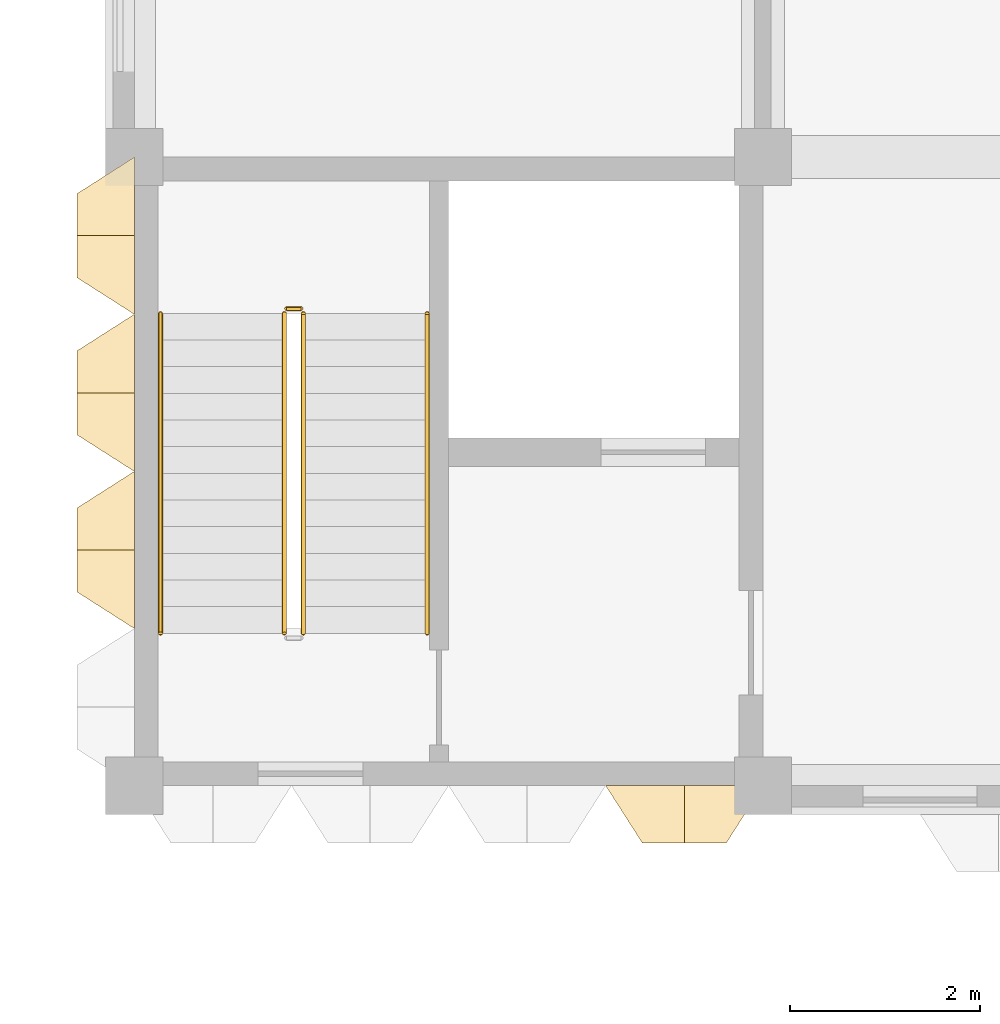
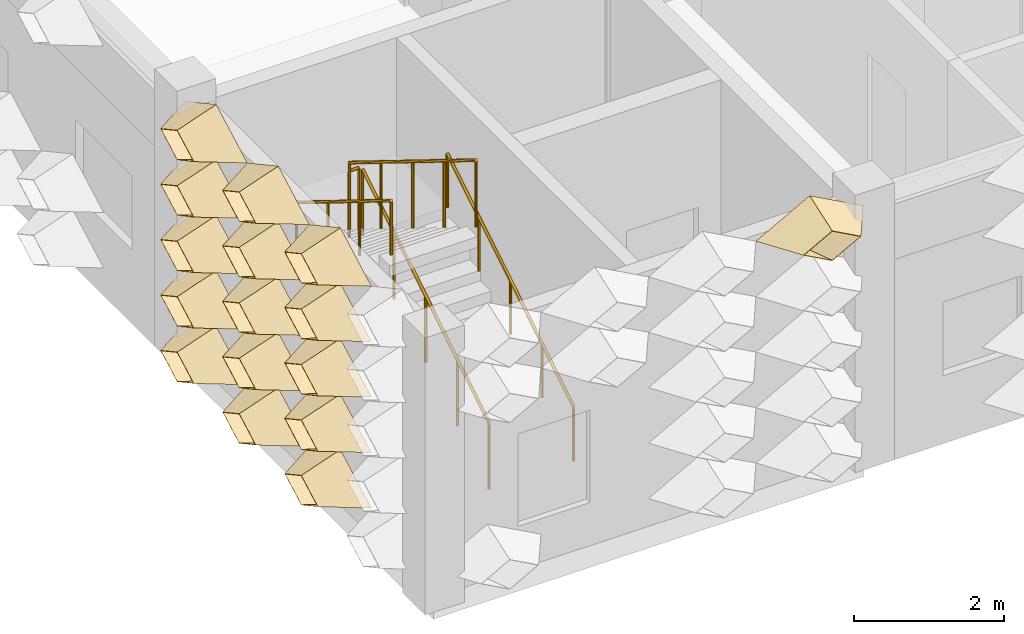
# One storey, part 53 of 87: 16 coverings, 5 railings.
"""IFC4 building model written with IfcOpenShell, lengths in metres."""

from ifc_helpers import new_model, entity, si_unit, direction, frame, origin, origin_2d, place, context, subcontext, project, spatial, circle, extrude, material, layer, layer_set, type_object, element, save


model = new_model("IFC4")

# Units and contexts
model_context = context("Model", 3, precision=1e-05, world=origin(), true_north=direction((0.0, 1.0)))
body_context = subcontext(model_context, "Body", "Model", "MODEL_VIEW")
ifc_project = project(units=[si_unit("LENGTHUNIT", "METRE"), si_unit("AREAUNIT", "SQUARE_METRE"), si_unit("VOLUMEUNIT", "CUBIC_METRE"), si_unit("PLANEANGLEUNIT", "RADIAN"), si_unit("MASSUNIT", "GRAM", prefix="KILO")], contexts=[model_context])

# Site, building, storey
site_placement = place(None, origin())
site = spatial("IfcSite", under=ifc_project, at=site_placement, CompositionType="ELEMENT")
building_placement = place(site_placement, origin())
building = spatial("IfcBuilding", under=site, at=building_placement, Name="Lantern Court Research Institute", CompositionType="ELEMENT")
storey_placement = place(building_placement, frame((0.0, 0.0, 5.39990234375)))
storey = spatial("IfcBuildingStorey", under=building, at=storey_placement, Name="L01", CompositionType="ELEMENT", Elevation=5.39990234375)

# Coverings
ifc_material_1 = material(Name="Anodised aluminium", Category="aluminium")
ifc_layer = layer(ifc_material_1, 0.01611328125)
ifc_layer_set = layer_set([ifc_layer], Name="Anodised aluminium")
covering_type = type_object("IfcCoveringType", Name="Fin cassette 1650 x 900 x 600 aluminium", PredefinedType="CLADDING", material=ifc_layer_set)
covering_1_placement = place(storey_placement, frame((5.77490234375, 49.5, 4.050048828125), z_axis=(0.0, -1.0, 0.0), x_axis=(1.0, 0.0, 0.0)))
cartesian_point_1 = entity("IfcCartesianPoint", [0.824951171875, 0.0])
cartesian_point_2 = entity("IfcCartesianPoint", [0.79150390625, 0.0])
cartesian_point_3 = entity("IfcCartesianPoint", [0.44189453125, 0.0])
cartesian_point_4 = entity("IfcCartesianPoint", [0.43359375, 0.0])
element("IfcCovering", 1, at=covering_1_placement, inside=storey, type_object=covering_type, Name="Fin cassette V3S-L01 5.4", PredefinedType="CLADDING", context=body_context, shape_type="SweptSolid", body=[
    entity("IfcExtrudedAreaSolidTapered", entity("IfcArbitraryProfileDefWithVoids", "AREA", None, entity("IfcPolyline", [cartesian_point_1, entity("IfcCartesianPoint", [0.0, 0.449951171875]), entity("IfcCartesianPoint", [-0.824951171875, 0.0]), entity("IfcCartesianPoint", [0.0, -0.449951171875]), cartesian_point_1]), [entity("IfcPolyline", [cartesian_point_2, entity("IfcCartesianPoint", [0.0, 0.431884765625]), entity("IfcCartesianPoint", [-0.79150390625, 0.0]), entity("IfcCartesianPoint", [0.0, -0.431884765625]), cartesian_point_2])]), entity("IfcAxis2Placement3D", entity("IfcCartesianPoint", [0.0, 0.0, 0.0])), entity("IfcDirection", [0.0, 0.0, 1.0]), 0.60009765625, entity("IfcArbitraryProfileDefWithVoids", "AREA", None, entity("IfcPolyline", [cartesian_point_3, entity("IfcCartesianPoint", [0.0, 0.240966796875]), entity("IfcCartesianPoint", [-0.44189453125, 0.0]), entity("IfcCartesianPoint", [0.0, -0.240966796875]), cartesian_point_3]), [entity("IfcPolyline", [cartesian_point_4, entity("IfcCartesianPoint", [0.0, 0.236572265625]), entity("IfcCartesianPoint", [-0.43359375, 0.0]), entity("IfcCartesianPoint", [0.0, -0.236572265625]), cartesian_point_4])])),
])
covering_2_placement = place(storey_placement, frame((0.0, 51.97509765625, 0.4501953125), z_axis=(-1.0, 0.0, 0.0), x_axis=(0.0, -1.0, 0.0)))
cartesian_point_5 = entity("IfcCartesianPoint", [0.824951171875, 0.0])
cartesian_point_6 = entity("IfcCartesianPoint", [0.79150390625, 0.0])
cartesian_point_7 = entity("IfcCartesianPoint", [0.44189453125, 0.0])
cartesian_point_8 = entity("IfcCartesianPoint", [0.43359375, 0.0])
element("IfcCovering", 2, at=covering_2_placement, inside=storey, type_object=covering_type, Name="Fin cassette V3W-L01 1.32", PredefinedType="CLADDING", context=body_context, shape_type="SweptSolid", body=[
    entity("IfcExtrudedAreaSolidTapered", entity("IfcArbitraryProfileDefWithVoids", "AREA", None, entity("IfcPolyline", [cartesian_point_5, entity("IfcCartesianPoint", [0.0, 0.449951171875]), entity("IfcCartesianPoint", [-0.824951171875, 0.0]), entity("IfcCartesianPoint", [0.0, -0.449951171875]), cartesian_point_5]), [entity("IfcPolyline", [cartesian_point_6, entity("IfcCartesianPoint", [0.0, 0.431884765625]), entity("IfcCartesianPoint", [-0.79150390625, 0.0]), entity("IfcCartesianPoint", [0.0, -0.431884765625]), cartesian_point_6])]), entity("IfcAxis2Placement3D", entity("IfcCartesianPoint", [0.0, 0.0, 0.0])), entity("IfcDirection", [0.0, 0.0, 1.0]), 0.60009765625, entity("IfcArbitraryProfileDefWithVoids", "AREA", None, entity("IfcPolyline", [cartesian_point_7, entity("IfcCartesianPoint", [0.0, 0.240966796875]), entity("IfcCartesianPoint", [-0.44189453125, 0.0]), entity("IfcCartesianPoint", [0.0, -0.240966796875]), cartesian_point_7]), [entity("IfcPolyline", [cartesian_point_8, entity("IfcCartesianPoint", [0.0, 0.236572265625]), entity("IfcCartesianPoint", [-0.43359375, 0.0]), entity("IfcCartesianPoint", [0.0, -0.236572265625]), cartesian_point_8])])),
])
covering_3_placement = place(storey_placement, frame((0.0, 53.625, 0.4501953125), z_axis=(-1.0, 0.0, 0.0), x_axis=(0.0, -1.0, 0.0)))
cartesian_point_9 = entity("IfcCartesianPoint", [0.824951171875, 0.0])
cartesian_point_10 = entity("IfcCartesianPoint", [0.79150390625, 0.0])
cartesian_point_11 = entity("IfcCartesianPoint", [0.44189453125, 0.0])
cartesian_point_12 = entity("IfcCartesianPoint", [0.43359375, 0.0])
element("IfcCovering", 3, at=covering_3_placement, inside=storey, type_object=covering_type, Name="Fin cassette V3W-L01 1.33", PredefinedType="CLADDING", context=body_context, shape_type="SweptSolid", body=[
    entity("IfcExtrudedAreaSolidTapered", entity("IfcArbitraryProfileDefWithVoids", "AREA", None, entity("IfcPolyline", [cartesian_point_9, entity("IfcCartesianPoint", [0.0, 0.449951171875]), entity("IfcCartesianPoint", [-0.824951171875, 0.0]), entity("IfcCartesianPoint", [0.0, -0.449951171875]), cartesian_point_9]), [entity("IfcPolyline", [cartesian_point_10, entity("IfcCartesianPoint", [0.0, 0.431884765625]), entity("IfcCartesianPoint", [-0.79150390625, 0.0]), entity("IfcCartesianPoint", [0.0, -0.431884765625]), cartesian_point_10])]), entity("IfcAxis2Placement3D", entity("IfcCartesianPoint", [0.0, 0.0, 0.0])), entity("IfcDirection", [0.0, 0.0, 1.0]), 0.60009765625, entity("IfcArbitraryProfileDefWithVoids", "AREA", None, entity("IfcPolyline", [cartesian_point_11, entity("IfcCartesianPoint", [0.0, 0.240966796875]), entity("IfcCartesianPoint", [-0.44189453125, 0.0]), entity("IfcCartesianPoint", [0.0, -0.240966796875]), cartesian_point_11]), [entity("IfcPolyline", [cartesian_point_12, entity("IfcCartesianPoint", [0.0, 0.236572265625]), entity("IfcCartesianPoint", [-0.43359375, 0.0]), entity("IfcCartesianPoint", [0.0, -0.236572265625]), cartesian_point_12])])),
])
covering_4_placement = place(storey_placement, frame((0.0, 55.27490234375, 0.4501953125), z_axis=(-1.0, 0.0, 0.0), x_axis=(0.0, -1.0, 0.0)))
cartesian_point_13 = entity("IfcCartesianPoint", [0.824951171875, 0.0])
cartesian_point_14 = entity("IfcCartesianPoint", [0.79150390625, 0.0])
cartesian_point_15 = entity("IfcCartesianPoint", [0.44189453125, 0.0])
cartesian_point_16 = entity("IfcCartesianPoint", [0.43359375, 0.0])
element("IfcCovering", 4, at=covering_4_placement, inside=storey, type_object=covering_type, Name="Fin cassette V3W-L01 1.34", PredefinedType="CLADDING", context=body_context, shape_type="SweptSolid", body=[
    entity("IfcExtrudedAreaSolidTapered", entity("IfcArbitraryProfileDefWithVoids", "AREA", None, entity("IfcPolyline", [cartesian_point_13, entity("IfcCartesianPoint", [0.0, 0.449951171875]), entity("IfcCartesianPoint", [-0.824951171875, 0.0]), entity("IfcCartesianPoint", [0.0, -0.449951171875]), cartesian_point_13]), [entity("IfcPolyline", [cartesian_point_14, entity("IfcCartesianPoint", [0.0, 0.431884765625]), entity("IfcCartesianPoint", [-0.79150390625, 0.0]), entity("IfcCartesianPoint", [0.0, -0.431884765625]), cartesian_point_14])]), entity("IfcAxis2Placement3D", entity("IfcCartesianPoint", [0.0, 0.0, 0.0])), entity("IfcDirection", [0.0, 0.0, 1.0]), 0.60009765625, entity("IfcArbitraryProfileDefWithVoids", "AREA", None, entity("IfcPolyline", [cartesian_point_15, entity("IfcCartesianPoint", [0.0, 0.240966796875]), entity("IfcCartesianPoint", [-0.44189453125, 0.0]), entity("IfcCartesianPoint", [0.0, -0.240966796875]), cartesian_point_15]), [entity("IfcPolyline", [cartesian_point_16, entity("IfcCartesianPoint", [0.0, 0.236572265625]), entity("IfcCartesianPoint", [-0.43359375, 0.0]), entity("IfcCartesianPoint", [0.0, -0.236572265625]), cartesian_point_16])])),
])
covering_5_placement = place(storey_placement, frame((0.0, 51.97509765625, 1.35009765625), z_axis=(-1.0, 0.0, 0.0), x_axis=(0.0, -1.0, 0.0)))
cartesian_point_17 = entity("IfcCartesianPoint", [0.824951171875, 0.0])
cartesian_point_18 = entity("IfcCartesianPoint", [0.79150390625, 0.0])
cartesian_point_19 = entity("IfcCartesianPoint", [0.44189453125, 0.0])
cartesian_point_20 = entity("IfcCartesianPoint", [0.43359375, 0.0])
element("IfcCovering", 5, at=covering_5_placement, inside=storey, type_object=covering_type, Name="Fin cassette V3W-L01 2.32", PredefinedType="CLADDING", context=body_context, shape_type="SweptSolid", body=[
    entity("IfcExtrudedAreaSolidTapered", entity("IfcArbitraryProfileDefWithVoids", "AREA", None, entity("IfcPolyline", [cartesian_point_17, entity("IfcCartesianPoint", [0.0, 0.449951171875]), entity("IfcCartesianPoint", [-0.824951171875, 0.0]), entity("IfcCartesianPoint", [0.0, -0.449951171875]), cartesian_point_17]), [entity("IfcPolyline", [cartesian_point_18, entity("IfcCartesianPoint", [0.0, 0.431884765625]), entity("IfcCartesianPoint", [-0.79150390625, 0.0]), entity("IfcCartesianPoint", [0.0, -0.431884765625]), cartesian_point_18])]), entity("IfcAxis2Placement3D", entity("IfcCartesianPoint", [0.0, 0.0, 0.0])), entity("IfcDirection", [0.0, 0.0, 1.0]), 0.60009765625, entity("IfcArbitraryProfileDefWithVoids", "AREA", None, entity("IfcPolyline", [cartesian_point_19, entity("IfcCartesianPoint", [0.0, 0.240966796875]), entity("IfcCartesianPoint", [-0.44189453125, 0.0]), entity("IfcCartesianPoint", [0.0, -0.240966796875]), cartesian_point_19]), [entity("IfcPolyline", [cartesian_point_20, entity("IfcCartesianPoint", [0.0, 0.236572265625]), entity("IfcCartesianPoint", [-0.43359375, 0.0]), entity("IfcCartesianPoint", [0.0, -0.236572265625]), cartesian_point_20])])),
])
covering_6_placement = place(storey_placement, frame((0.0, 53.625, 1.35009765625), z_axis=(-1.0, 0.0, 0.0), x_axis=(0.0, -1.0, 0.0)))
cartesian_point_21 = entity("IfcCartesianPoint", [0.824951171875, 0.0])
cartesian_point_22 = entity("IfcCartesianPoint", [0.79150390625, 0.0])
cartesian_point_23 = entity("IfcCartesianPoint", [0.44189453125, 0.0])
cartesian_point_24 = entity("IfcCartesianPoint", [0.43359375, 0.0])
element("IfcCovering", 6, at=covering_6_placement, inside=storey, type_object=covering_type, Name="Fin cassette V3W-L01 2.33", PredefinedType="CLADDING", context=body_context, shape_type="SweptSolid", body=[
    entity("IfcExtrudedAreaSolidTapered", entity("IfcArbitraryProfileDefWithVoids", "AREA", None, entity("IfcPolyline", [cartesian_point_21, entity("IfcCartesianPoint", [0.0, 0.449951171875]), entity("IfcCartesianPoint", [-0.824951171875, 0.0]), entity("IfcCartesianPoint", [0.0, -0.449951171875]), cartesian_point_21]), [entity("IfcPolyline", [cartesian_point_22, entity("IfcCartesianPoint", [0.0, 0.431884765625]), entity("IfcCartesianPoint", [-0.79150390625, 0.0]), entity("IfcCartesianPoint", [0.0, -0.431884765625]), cartesian_point_22])]), entity("IfcAxis2Placement3D", entity("IfcCartesianPoint", [0.0, 0.0, 0.0])), entity("IfcDirection", [0.0, 0.0, 1.0]), 0.60009765625, entity("IfcArbitraryProfileDefWithVoids", "AREA", None, entity("IfcPolyline", [cartesian_point_23, entity("IfcCartesianPoint", [0.0, 0.240966796875]), entity("IfcCartesianPoint", [-0.44189453125, 0.0]), entity("IfcCartesianPoint", [0.0, -0.240966796875]), cartesian_point_23]), [entity("IfcPolyline", [cartesian_point_24, entity("IfcCartesianPoint", [0.0, 0.236572265625]), entity("IfcCartesianPoint", [-0.43359375, 0.0]), entity("IfcCartesianPoint", [0.0, -0.236572265625]), cartesian_point_24])])),
])
covering_7_placement = place(storey_placement, frame((0.0, 55.27490234375, 1.35009765625), z_axis=(-1.0, 0.0, 0.0), x_axis=(0.0, -1.0, 0.0)))
cartesian_point_25 = entity("IfcCartesianPoint", [0.824951171875, 0.0])
cartesian_point_26 = entity("IfcCartesianPoint", [0.79150390625, 0.0])
cartesian_point_27 = entity("IfcCartesianPoint", [0.44189453125, 0.0])
cartesian_point_28 = entity("IfcCartesianPoint", [0.43359375, 0.0])
element("IfcCovering", 7, at=covering_7_placement, inside=storey, type_object=covering_type, Name="Fin cassette V3W-L01 2.34", PredefinedType="CLADDING", context=body_context, shape_type="SweptSolid", body=[
    entity("IfcExtrudedAreaSolidTapered", entity("IfcArbitraryProfileDefWithVoids", "AREA", None, entity("IfcPolyline", [cartesian_point_25, entity("IfcCartesianPoint", [0.0, 0.449951171875]), entity("IfcCartesianPoint", [-0.824951171875, 0.0]), entity("IfcCartesianPoint", [0.0, -0.449951171875]), cartesian_point_25]), [entity("IfcPolyline", [cartesian_point_26, entity("IfcCartesianPoint", [0.0, 0.431884765625]), entity("IfcCartesianPoint", [-0.79150390625, 0.0]), entity("IfcCartesianPoint", [0.0, -0.431884765625]), cartesian_point_26])]), entity("IfcAxis2Placement3D", entity("IfcCartesianPoint", [0.0, 0.0, 0.0])), entity("IfcDirection", [0.0, 0.0, 1.0]), 0.60009765625, entity("IfcArbitraryProfileDefWithVoids", "AREA", None, entity("IfcPolyline", [cartesian_point_27, entity("IfcCartesianPoint", [0.0, 0.240966796875]), entity("IfcCartesianPoint", [-0.44189453125, 0.0]), entity("IfcCartesianPoint", [0.0, -0.240966796875]), cartesian_point_27]), [entity("IfcPolyline", [cartesian_point_28, entity("IfcCartesianPoint", [0.0, 0.236572265625]), entity("IfcCartesianPoint", [-0.43359375, 0.0]), entity("IfcCartesianPoint", [0.0, -0.236572265625]), cartesian_point_28])])),
])
covering_8_placement = place(storey_placement, frame((0.0, 51.97509765625, 2.25), z_axis=(-1.0, 0.0, 0.0), x_axis=(0.0, -1.0, 0.0)))
cartesian_point_29 = entity("IfcCartesianPoint", [0.824951171875, 0.0])
cartesian_point_30 = entity("IfcCartesianPoint", [0.79150390625, 0.0])
cartesian_point_31 = entity("IfcCartesianPoint", [0.44189453125, 0.0])
cartesian_point_32 = entity("IfcCartesianPoint", [0.43359375, 0.0])
element("IfcCovering", 8, at=covering_8_placement, inside=storey, type_object=covering_type, Name="Fin cassette V3W-L01 3.32", PredefinedType="CLADDING", context=body_context, shape_type="SweptSolid", body=[
    entity("IfcExtrudedAreaSolidTapered", entity("IfcArbitraryProfileDefWithVoids", "AREA", None, entity("IfcPolyline", [cartesian_point_29, entity("IfcCartesianPoint", [0.0, 0.449951171875]), entity("IfcCartesianPoint", [-0.824951171875, 0.0]), entity("IfcCartesianPoint", [0.0, -0.449951171875]), cartesian_point_29]), [entity("IfcPolyline", [cartesian_point_30, entity("IfcCartesianPoint", [0.0, 0.431884765625]), entity("IfcCartesianPoint", [-0.79150390625, 0.0]), entity("IfcCartesianPoint", [0.0, -0.431884765625]), cartesian_point_30])]), entity("IfcAxis2Placement3D", entity("IfcCartesianPoint", [0.0, 0.0, 0.0])), entity("IfcDirection", [0.0, 0.0, 1.0]), 0.60009765625, entity("IfcArbitraryProfileDefWithVoids", "AREA", None, entity("IfcPolyline", [cartesian_point_31, entity("IfcCartesianPoint", [0.0, 0.240966796875]), entity("IfcCartesianPoint", [-0.44189453125, 0.0]), entity("IfcCartesianPoint", [0.0, -0.240966796875]), cartesian_point_31]), [entity("IfcPolyline", [cartesian_point_32, entity("IfcCartesianPoint", [0.0, 0.236572265625]), entity("IfcCartesianPoint", [-0.43359375, 0.0]), entity("IfcCartesianPoint", [0.0, -0.236572265625]), cartesian_point_32])])),
])
covering_9_placement = place(storey_placement, frame((0.0, 53.625, 2.25), z_axis=(-1.0, 0.0, 0.0), x_axis=(0.0, -1.0, 0.0)))
cartesian_point_33 = entity("IfcCartesianPoint", [0.824951171875, 0.0])
cartesian_point_34 = entity("IfcCartesianPoint", [0.79150390625, 0.0])
cartesian_point_35 = entity("IfcCartesianPoint", [0.44189453125, 0.0])
cartesian_point_36 = entity("IfcCartesianPoint", [0.43359375, 0.0])
element("IfcCovering", 9, at=covering_9_placement, inside=storey, type_object=covering_type, Name="Fin cassette V3W-L01 3.33", PredefinedType="CLADDING", context=body_context, shape_type="SweptSolid", body=[
    entity("IfcExtrudedAreaSolidTapered", entity("IfcArbitraryProfileDefWithVoids", "AREA", None, entity("IfcPolyline", [cartesian_point_33, entity("IfcCartesianPoint", [0.0, 0.449951171875]), entity("IfcCartesianPoint", [-0.824951171875, 0.0]), entity("IfcCartesianPoint", [0.0, -0.449951171875]), cartesian_point_33]), [entity("IfcPolyline", [cartesian_point_34, entity("IfcCartesianPoint", [0.0, 0.431884765625]), entity("IfcCartesianPoint", [-0.79150390625, 0.0]), entity("IfcCartesianPoint", [0.0, -0.431884765625]), cartesian_point_34])]), entity("IfcAxis2Placement3D", entity("IfcCartesianPoint", [0.0, 0.0, 0.0])), entity("IfcDirection", [0.0, 0.0, 1.0]), 0.60009765625, entity("IfcArbitraryProfileDefWithVoids", "AREA", None, entity("IfcPolyline", [cartesian_point_35, entity("IfcCartesianPoint", [0.0, 0.240966796875]), entity("IfcCartesianPoint", [-0.44189453125, 0.0]), entity("IfcCartesianPoint", [0.0, -0.240966796875]), cartesian_point_35]), [entity("IfcPolyline", [cartesian_point_36, entity("IfcCartesianPoint", [0.0, 0.236572265625]), entity("IfcCartesianPoint", [-0.43359375, 0.0]), entity("IfcCartesianPoint", [0.0, -0.236572265625]), cartesian_point_36])])),
])
covering_10_placement = place(storey_placement, frame((0.0, 55.27490234375, 2.25), z_axis=(-1.0, 0.0, 0.0), x_axis=(0.0, -1.0, 0.0)))
cartesian_point_37 = entity("IfcCartesianPoint", [0.824951171875, 0.0])
cartesian_point_38 = entity("IfcCartesianPoint", [0.79150390625, 0.0])
cartesian_point_39 = entity("IfcCartesianPoint", [0.44189453125, 0.0])
cartesian_point_40 = entity("IfcCartesianPoint", [0.43359375, 0.0])
element("IfcCovering", 10, at=covering_10_placement, inside=storey, type_object=covering_type, Name="Fin cassette V3W-L01 3.34", PredefinedType="CLADDING", context=body_context, shape_type="SweptSolid", body=[
    entity("IfcExtrudedAreaSolidTapered", entity("IfcArbitraryProfileDefWithVoids", "AREA", None, entity("IfcPolyline", [cartesian_point_37, entity("IfcCartesianPoint", [0.0, 0.449951171875]), entity("IfcCartesianPoint", [-0.824951171875, 0.0]), entity("IfcCartesianPoint", [0.0, -0.449951171875]), cartesian_point_37]), [entity("IfcPolyline", [cartesian_point_38, entity("IfcCartesianPoint", [0.0, 0.431884765625]), entity("IfcCartesianPoint", [-0.79150390625, 0.0]), entity("IfcCartesianPoint", [0.0, -0.431884765625]), cartesian_point_38])]), entity("IfcAxis2Placement3D", entity("IfcCartesianPoint", [0.0, 0.0, 0.0])), entity("IfcDirection", [0.0, 0.0, 1.0]), 0.60009765625, entity("IfcArbitraryProfileDefWithVoids", "AREA", None, entity("IfcPolyline", [cartesian_point_39, entity("IfcCartesianPoint", [0.0, 0.240966796875]), entity("IfcCartesianPoint", [-0.44189453125, 0.0]), entity("IfcCartesianPoint", [0.0, -0.240966796875]), cartesian_point_39]), [entity("IfcPolyline", [cartesian_point_40, entity("IfcCartesianPoint", [0.0, 0.236572265625]), entity("IfcCartesianPoint", [-0.43359375, 0.0]), entity("IfcCartesianPoint", [0.0, -0.236572265625]), cartesian_point_40])])),
])
covering_11_placement = place(storey_placement, frame((0.0, 51.97509765625, 3.150146484375), z_axis=(-1.0, 0.0, 0.0), x_axis=(0.0, -1.0, 0.0)))
cartesian_point_41 = entity("IfcCartesianPoint", [0.824951171875, 0.0])
cartesian_point_42 = entity("IfcCartesianPoint", [0.79150390625, 0.0])
cartesian_point_43 = entity("IfcCartesianPoint", [0.44189453125, 0.0])
cartesian_point_44 = entity("IfcCartesianPoint", [0.43359375, 0.0])
element("IfcCovering", 11, at=covering_11_placement, inside=storey, type_object=covering_type, Name="Fin cassette V3W-L01 4.32", PredefinedType="CLADDING", context=body_context, shape_type="SweptSolid", body=[
    entity("IfcExtrudedAreaSolidTapered", entity("IfcArbitraryProfileDefWithVoids", "AREA", None, entity("IfcPolyline", [cartesian_point_41, entity("IfcCartesianPoint", [0.0, 0.449951171875]), entity("IfcCartesianPoint", [-0.824951171875, 0.0]), entity("IfcCartesianPoint", [0.0, -0.449951171875]), cartesian_point_41]), [entity("IfcPolyline", [cartesian_point_42, entity("IfcCartesianPoint", [0.0, 0.431884765625]), entity("IfcCartesianPoint", [-0.79150390625, 0.0]), entity("IfcCartesianPoint", [0.0, -0.431884765625]), cartesian_point_42])]), entity("IfcAxis2Placement3D", entity("IfcCartesianPoint", [0.0, 0.0, 0.0])), entity("IfcDirection", [0.0, 0.0, 1.0]), 0.60009765625, entity("IfcArbitraryProfileDefWithVoids", "AREA", None, entity("IfcPolyline", [cartesian_point_43, entity("IfcCartesianPoint", [0.0, 0.240966796875]), entity("IfcCartesianPoint", [-0.44189453125, 0.0]), entity("IfcCartesianPoint", [0.0, -0.240966796875]), cartesian_point_43]), [entity("IfcPolyline", [cartesian_point_44, entity("IfcCartesianPoint", [0.0, 0.236572265625]), entity("IfcCartesianPoint", [-0.43359375, 0.0]), entity("IfcCartesianPoint", [0.0, -0.236572265625]), cartesian_point_44])])),
])
covering_12_placement = place(storey_placement, frame((0.0, 53.625, 3.150146484375), z_axis=(-1.0, 0.0, 0.0), x_axis=(0.0, -1.0, 0.0)))
cartesian_point_45 = entity("IfcCartesianPoint", [0.824951171875, 0.0])
cartesian_point_46 = entity("IfcCartesianPoint", [0.79150390625, 0.0])
cartesian_point_47 = entity("IfcCartesianPoint", [0.44189453125, 0.0])
cartesian_point_48 = entity("IfcCartesianPoint", [0.43359375, 0.0])
element("IfcCovering", 12, at=covering_12_placement, inside=storey, type_object=covering_type, Name="Fin cassette V3W-L01 4.33", PredefinedType="CLADDING", context=body_context, shape_type="SweptSolid", body=[
    entity("IfcExtrudedAreaSolidTapered", entity("IfcArbitraryProfileDefWithVoids", "AREA", None, entity("IfcPolyline", [cartesian_point_45, entity("IfcCartesianPoint", [0.0, 0.449951171875]), entity("IfcCartesianPoint", [-0.824951171875, 0.0]), entity("IfcCartesianPoint", [0.0, -0.449951171875]), cartesian_point_45]), [entity("IfcPolyline", [cartesian_point_46, entity("IfcCartesianPoint", [0.0, 0.431884765625]), entity("IfcCartesianPoint", [-0.79150390625, 0.0]), entity("IfcCartesianPoint", [0.0, -0.431884765625]), cartesian_point_46])]), entity("IfcAxis2Placement3D", entity("IfcCartesianPoint", [0.0, 0.0, 0.0])), entity("IfcDirection", [0.0, 0.0, 1.0]), 0.60009765625, entity("IfcArbitraryProfileDefWithVoids", "AREA", None, entity("IfcPolyline", [cartesian_point_47, entity("IfcCartesianPoint", [0.0, 0.240966796875]), entity("IfcCartesianPoint", [-0.44189453125, 0.0]), entity("IfcCartesianPoint", [0.0, -0.240966796875]), cartesian_point_47]), [entity("IfcPolyline", [cartesian_point_48, entity("IfcCartesianPoint", [0.0, 0.236572265625]), entity("IfcCartesianPoint", [-0.43359375, 0.0]), entity("IfcCartesianPoint", [0.0, -0.236572265625]), cartesian_point_48])])),
])
covering_13_placement = place(storey_placement, frame((0.0, 55.27490234375, 3.150146484375), z_axis=(-1.0, 0.0, 0.0), x_axis=(0.0, -1.0, 0.0)))
cartesian_point_49 = entity("IfcCartesianPoint", [0.824951171875, 0.0])
cartesian_point_50 = entity("IfcCartesianPoint", [0.79150390625, 0.0])
cartesian_point_51 = entity("IfcCartesianPoint", [0.44189453125, 0.0])
cartesian_point_52 = entity("IfcCartesianPoint", [0.43359375, 0.0])
element("IfcCovering", 13, at=covering_13_placement, inside=storey, type_object=covering_type, Name="Fin cassette V3W-L01 4.34", PredefinedType="CLADDING", context=body_context, shape_type="SweptSolid", body=[
    entity("IfcExtrudedAreaSolidTapered", entity("IfcArbitraryProfileDefWithVoids", "AREA", None, entity("IfcPolyline", [cartesian_point_49, entity("IfcCartesianPoint", [0.0, 0.449951171875]), entity("IfcCartesianPoint", [-0.824951171875, 0.0]), entity("IfcCartesianPoint", [0.0, -0.449951171875]), cartesian_point_49]), [entity("IfcPolyline", [cartesian_point_50, entity("IfcCartesianPoint", [0.0, 0.431884765625]), entity("IfcCartesianPoint", [-0.79150390625, 0.0]), entity("IfcCartesianPoint", [0.0, -0.431884765625]), cartesian_point_50])]), entity("IfcAxis2Placement3D", entity("IfcCartesianPoint", [0.0, 0.0, 0.0])), entity("IfcDirection", [0.0, 0.0, 1.0]), 0.60009765625, entity("IfcArbitraryProfileDefWithVoids", "AREA", None, entity("IfcPolyline", [cartesian_point_51, entity("IfcCartesianPoint", [0.0, 0.240966796875]), entity("IfcCartesianPoint", [-0.44189453125, 0.0]), entity("IfcCartesianPoint", [0.0, -0.240966796875]), cartesian_point_51]), [entity("IfcPolyline", [cartesian_point_52, entity("IfcCartesianPoint", [0.0, 0.236572265625]), entity("IfcCartesianPoint", [-0.43359375, 0.0]), entity("IfcCartesianPoint", [0.0, -0.236572265625]), cartesian_point_52])])),
])
covering_14_placement = place(storey_placement, frame((0.0, 51.97509765625, 4.050048828125), z_axis=(-1.0, 0.0, 0.0), x_axis=(0.0, -1.0, 0.0)))
cartesian_point_53 = entity("IfcCartesianPoint", [0.824951171875, 0.0])
cartesian_point_54 = entity("IfcCartesianPoint", [0.79150390625, 0.0])
cartesian_point_55 = entity("IfcCartesianPoint", [0.44189453125, 0.0])
cartesian_point_56 = entity("IfcCartesianPoint", [0.43359375, 0.0])
element("IfcCovering", 14, at=covering_14_placement, inside=storey, type_object=covering_type, Name="Fin cassette V3W-L01 5.32", PredefinedType="CLADDING", context=body_context, shape_type="SweptSolid", body=[
    entity("IfcExtrudedAreaSolidTapered", entity("IfcArbitraryProfileDefWithVoids", "AREA", None, entity("IfcPolyline", [cartesian_point_53, entity("IfcCartesianPoint", [0.0, 0.449951171875]), entity("IfcCartesianPoint", [-0.824951171875, 0.0]), entity("IfcCartesianPoint", [0.0, -0.449951171875]), cartesian_point_53]), [entity("IfcPolyline", [cartesian_point_54, entity("IfcCartesianPoint", [0.0, 0.431884765625]), entity("IfcCartesianPoint", [-0.79150390625, 0.0]), entity("IfcCartesianPoint", [0.0, -0.431884765625]), cartesian_point_54])]), entity("IfcAxis2Placement3D", entity("IfcCartesianPoint", [0.0, 0.0, 0.0])), entity("IfcDirection", [0.0, 0.0, 1.0]), 0.60009765625, entity("IfcArbitraryProfileDefWithVoids", "AREA", None, entity("IfcPolyline", [cartesian_point_55, entity("IfcCartesianPoint", [0.0, 0.240966796875]), entity("IfcCartesianPoint", [-0.44189453125, 0.0]), entity("IfcCartesianPoint", [0.0, -0.240966796875]), cartesian_point_55]), [entity("IfcPolyline", [cartesian_point_56, entity("IfcCartesianPoint", [0.0, 0.236572265625]), entity("IfcCartesianPoint", [-0.43359375, 0.0]), entity("IfcCartesianPoint", [0.0, -0.236572265625]), cartesian_point_56])])),
])
covering_15_placement = place(storey_placement, frame((0.0, 53.625, 4.050048828125), z_axis=(-1.0, 0.0, 0.0), x_axis=(0.0, -1.0, 0.0)))
cartesian_point_57 = entity("IfcCartesianPoint", [0.824951171875, 0.0])
cartesian_point_58 = entity("IfcCartesianPoint", [0.79150390625, 0.0])
cartesian_point_59 = entity("IfcCartesianPoint", [0.44189453125, 0.0])
cartesian_point_60 = entity("IfcCartesianPoint", [0.43359375, 0.0])
element("IfcCovering", 15, at=covering_15_placement, inside=storey, type_object=covering_type, Name="Fin cassette V3W-L01 5.33", PredefinedType="CLADDING", context=body_context, shape_type="SweptSolid", body=[
    entity("IfcExtrudedAreaSolidTapered", entity("IfcArbitraryProfileDefWithVoids", "AREA", None, entity("IfcPolyline", [cartesian_point_57, entity("IfcCartesianPoint", [0.0, 0.449951171875]), entity("IfcCartesianPoint", [-0.824951171875, 0.0]), entity("IfcCartesianPoint", [0.0, -0.449951171875]), cartesian_point_57]), [entity("IfcPolyline", [cartesian_point_58, entity("IfcCartesianPoint", [0.0, 0.431884765625]), entity("IfcCartesianPoint", [-0.79150390625, 0.0]), entity("IfcCartesianPoint", [0.0, -0.431884765625]), cartesian_point_58])]), entity("IfcAxis2Placement3D", entity("IfcCartesianPoint", [0.0, 0.0, 0.0])), entity("IfcDirection", [0.0, 0.0, 1.0]), 0.60009765625, entity("IfcArbitraryProfileDefWithVoids", "AREA", None, entity("IfcPolyline", [cartesian_point_59, entity("IfcCartesianPoint", [0.0, 0.240966796875]), entity("IfcCartesianPoint", [-0.44189453125, 0.0]), entity("IfcCartesianPoint", [0.0, -0.240966796875]), cartesian_point_59]), [entity("IfcPolyline", [cartesian_point_60, entity("IfcCartesianPoint", [0.0, 0.236572265625]), entity("IfcCartesianPoint", [-0.43359375, 0.0]), entity("IfcCartesianPoint", [0.0, -0.236572265625]), cartesian_point_60])])),
])
covering_16_placement = place(storey_placement, frame((0.0, 55.27490234375, 4.050048828125), z_axis=(-1.0, 0.0, 0.0), x_axis=(0.0, -1.0, 0.0)))
cartesian_point_61 = entity("IfcCartesianPoint", [0.824951171875, 0.0])
cartesian_point_62 = entity("IfcCartesianPoint", [0.79150390625, 0.0])
cartesian_point_63 = entity("IfcCartesianPoint", [0.44189453125, 0.0])
cartesian_point_64 = entity("IfcCartesianPoint", [0.43359375, 0.0])
element("IfcCovering", 16, at=covering_16_placement, inside=storey, type_object=covering_type, Name="Fin cassette V3W-L01 5.34", PredefinedType="CLADDING", context=body_context, shape_type="SweptSolid", body=[
    entity("IfcExtrudedAreaSolidTapered", entity("IfcArbitraryProfileDefWithVoids", "AREA", None, entity("IfcPolyline", [cartesian_point_61, entity("IfcCartesianPoint", [0.0, 0.449951171875]), entity("IfcCartesianPoint", [-0.824951171875, 0.0]), entity("IfcCartesianPoint", [0.0, -0.449951171875]), cartesian_point_61]), [entity("IfcPolyline", [cartesian_point_62, entity("IfcCartesianPoint", [0.0, 0.431884765625]), entity("IfcCartesianPoint", [-0.79150390625, 0.0]), entity("IfcCartesianPoint", [0.0, -0.431884765625]), cartesian_point_62])]), entity("IfcAxis2Placement3D", entity("IfcCartesianPoint", [0.0, 0.0, 0.0])), entity("IfcDirection", [0.0, 0.0, 1.0]), 0.60009765625, entity("IfcArbitraryProfileDefWithVoids", "AREA", None, entity("IfcPolyline", [cartesian_point_63, entity("IfcCartesianPoint", [0.0, 0.240966796875]), entity("IfcCartesianPoint", [-0.44189453125, 0.0]), entity("IfcCartesianPoint", [0.0, -0.240966796875]), cartesian_point_63]), [entity("IfcPolyline", [cartesian_point_64, entity("IfcCartesianPoint", [0.0, 0.236572265625]), entity("IfcCartesianPoint", [-0.43359375, 0.0]), entity("IfcCartesianPoint", [0.0, -0.236572265625]), cartesian_point_64])])),
])

# Railings
ifc_material_2 = material(Name="Structural steel S355", Category="steel")
railing_type_1 = type_object("IfcRailingType", Name="Stair guard 1100 steel", PredefinedType="GUARDRAIL", material=ifc_material_2)
railing_1_placement = place(storey_placement, frame((1.77490234375, 51.10009765625, 0.173095703125)))
element("IfcRailing", 17, at=railing_1_placement, inside=storey, type_object=railing_type_1, Name="L01 ST-C1 stair guard 1", PredefinedType="GUARDRAIL", context=body_context, shape_type="SweptSolid", body=[
    extrude(circle(Radius=0.02392578125, at=origin_2d()), frame((0.0, 0.0, 1.076171875), z_axis=(0.0, 0.850606129759, 0.525803396734), x_axis=(-1.0, 0.0, 0.0)), (0.0, 0.0, 1.0), 3.949951171875),
    extrude(circle(Radius=0.02099609375, at=origin_2d()), origin(), (0.0, 0.0, 1.0), 1.052001953125),
    extrude(circle(Radius=0.02099609375, at=origin_2d()), frame((0.0, 0.83984375, 0.519287109375)), (0.0, 0.0, 1.0), 1.052001953125),
    extrude(circle(Radius=0.02099609375, at=origin_2d()), frame((0.0, 1.679931640625, 1.03857421875)), (0.0, 0.0, 1.0), 1.052001953125),
    extrude(circle(Radius=0.02099609375, at=origin_2d()), frame((0.0, 2.52001953125, 1.5576171875)), (0.0, 0.0, 1.0), 1.052001953125),
    extrude(circle(Radius=0.02099609375, at=origin_2d()), frame((0.0, 3.35986328125, 2.076904296875)), (0.0, 0.0, 1.0), 1.052001953125),
])
railing_2_placement = place(storey_placement, frame((1.75, 54.510009765625, 2.25)))
element("IfcRailing", 18, at=railing_2_placement, inside=storey, type_object=railing_type_1, Name="L01 ST-C1 stair guard 2", PredefinedType="GUARDRAIL", context=body_context, shape_type="SweptSolid", body=[
    extrude(circle(Radius=0.02392578125, at=origin_2d()), frame((0.0, 0.0, 1.076171875), z_axis=(-1.0, 0.0, 0.0), x_axis=(0.0, -1.0, 0.0)), (0.0, 0.0, 1.0), 0.14990234375),
    extrude(circle(Radius=0.02099609375, at=origin_2d()), origin(), (0.0, 0.0, 1.0), 1.052001953125),
    extrude(circle(Radius=0.02099609375, at=origin_2d()), frame((-0.14990234375, 0.0, 0.0)), (0.0, 0.0, 1.0), 1.052001953125),
])
railing_3_placement = place(storey_placement, frame((1.574951171875, 54.4599609375, 2.423095703125)))
element("IfcRailing", 19, at=railing_3_placement, inside=storey, type_object=railing_type_1, Name="L01 ST-C1 stair guard 3", PredefinedType="GUARDRAIL", context=body_context, shape_type="SweptSolid", body=[
    extrude(circle(Radius=0.02392578125, at=origin_2d()), frame((0.0, 0.0, 1.076171875), z_axis=(0.0, -0.850606129759, 0.525803396734), x_axis=(1.0, 0.0, 0.0)), (0.0, 0.0, 1.0), 3.949951171875),
    extrude(circle(Radius=0.02099609375, at=origin_2d()), origin(), (0.0, 0.0, 1.0), 1.052001953125),
    extrude(circle(Radius=0.02099609375, at=origin_2d()), frame((0.0, -0.83984375, 0.519287109375)), (0.0, 0.0, 1.0), 1.052001953125),
    extrude(circle(Radius=0.02099609375, at=origin_2d()), frame((0.0, -1.679931640625, 1.03857421875)), (0.0, 0.0, 1.0), 1.052001953125),
    extrude(circle(Radius=0.02099609375, at=origin_2d()), frame((0.0, -2.52001953125, 1.5576171875)), (0.0, 0.0, 1.0), 1.052001953125),
    extrude(circle(Radius=0.02099609375, at=origin_2d()), frame((0.0, -3.35986328125, 2.076904296875)), (0.0, 0.0, 1.0), 1.052001953125),
])
ifc_material_3 = material(Name="Stainless steel 316", Category="steel")
railing_type_2 = type_object("IfcRailingType", Name="Stair handrail 900 steel", PredefinedType="HANDRAIL", material=ifc_material_3)
railing_4_placement = place(storey_placement, frame((3.074951171875, 51.10009765625, 0.173095703125)))
element("IfcRailing", 20, at=railing_4_placement, inside=storey, type_object=railing_type_2, Name="L01 ST-C1 stair handrail 1", PredefinedType="HANDRAIL", context=body_context, shape_type="SweptSolid", body=[
    extrude(circle(Radius=0.02392578125, at=origin_2d()), frame((0.0, 0.0, 0.8759765625), z_axis=(0.0, 0.850606129759, 0.525803396734), x_axis=(-1.0, 0.0, 0.0)), (0.0, 0.0, 1.0), 3.949951171875),
    extrude(circle(Radius=0.02099609375, at=origin_2d()), origin(), (0.0, 0.0, 1.0), 0.851806640625),
    extrude(circle(Radius=0.02099609375, at=origin_2d()), frame((0.0, 0.83984375, 0.519287109375)), (0.0, 0.0, 1.0), 0.851806640625),
    extrude(circle(Radius=0.02099609375, at=origin_2d()), frame((0.0, 1.679931640625, 1.03857421875)), (0.0, 0.0, 1.0), 0.851806640625),
    extrude(circle(Radius=0.02099609375, at=origin_2d()), frame((0.0, 2.52001953125, 1.5576171875)), (0.0, 0.0, 1.0), 0.851806640625),
    extrude(circle(Radius=0.02099609375, at=origin_2d()), frame((0.0, 3.35986328125, 2.076904296875)), (0.0, 0.0, 1.0), 0.851806640625),
])
railing_5_placement = place(storey_placement, frame((0.27490234375, 54.4599609375, 2.423095703125)))
element("IfcRailing", 21, at=railing_5_placement, inside=storey, type_object=railing_type_2, Name="L01 ST-C1 stair handrail 2", PredefinedType="HANDRAIL", context=body_context, shape_type="SweptSolid", body=[
    extrude(circle(Radius=0.02392578125, at=origin_2d()), frame((0.0, 0.0, 0.8759765625), z_axis=(0.0, -0.850606129759, 0.525803396734), x_axis=(1.0, 0.0, 0.0)), (0.0, 0.0, 1.0), 3.949951171875),
    extrude(circle(Radius=0.02099609375, at=origin_2d()), origin(), (0.0, 0.0, 1.0), 0.851806640625),
    extrude(circle(Radius=0.02099609375, at=origin_2d()), frame((0.0, -0.83984375, 0.519287109375)), (0.0, 0.0, 1.0), 0.851806640625),
    extrude(circle(Radius=0.02099609375, at=origin_2d()), frame((0.0, -1.679931640625, 1.03857421875)), (0.0, 0.0, 1.0), 0.851806640625),
    extrude(circle(Radius=0.02099609375, at=origin_2d()), frame((0.0, -2.52001953125, 1.5576171875)), (0.0, 0.0, 1.0), 0.851806640625),
    extrude(circle(Radius=0.02099609375, at=origin_2d()), frame((0.0, -3.35986328125, 2.076904296875)), (0.0, 0.0, 1.0), 0.851806640625),
])

save(model, "model.ifc")
